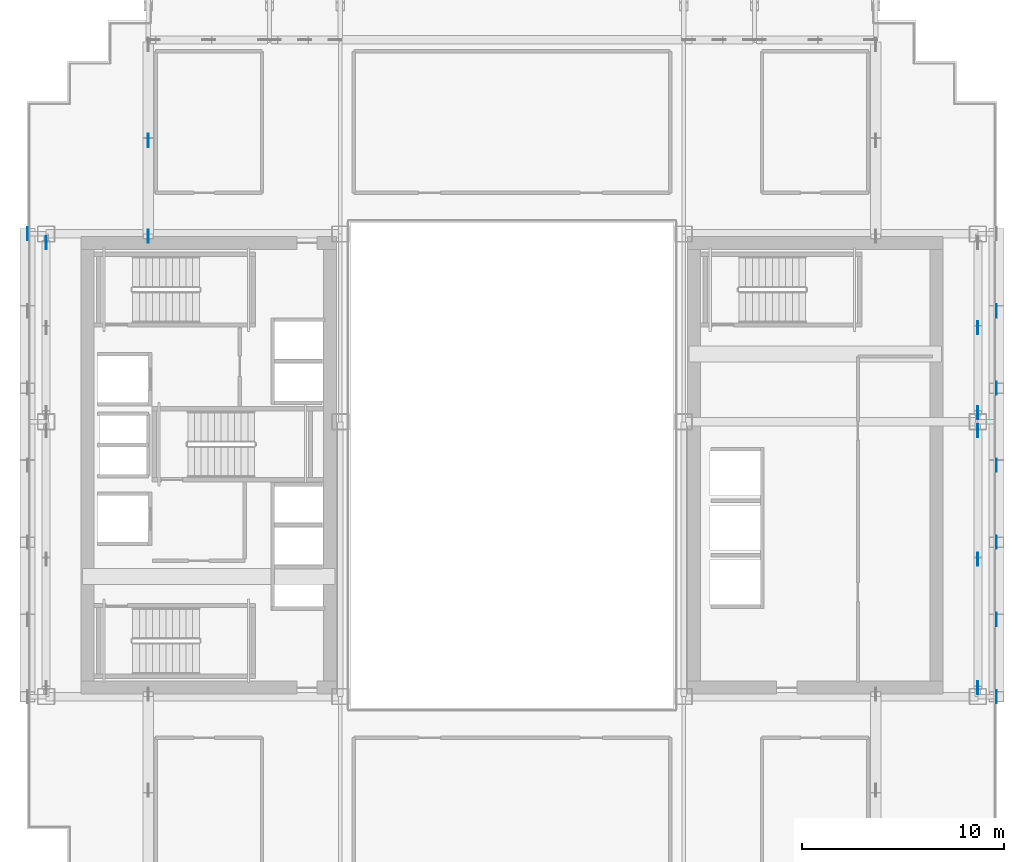
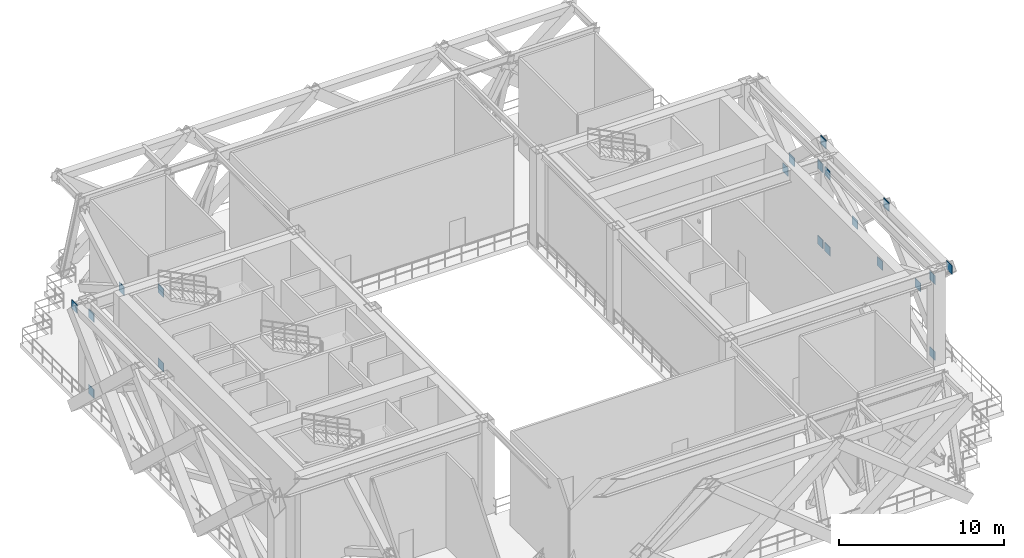
# One storey, part 5 of 14: 20 plates.
"""IFC4 building model written with IfcOpenShell, lengths in metres."""

from ifc_helpers import new_model, si_unit, direction, frame, origin, origin_2d, place, context, subcontext, project, spatial, rectangle, extrude, source, transform, mapped, material, layer, layer_set, type_object, element, save


model = new_model("IFC4")

# Units and contexts
model_context = context("Model", 3, precision=1e-05, world=origin(), true_north=direction((0.0, 1.0)))
body_context = subcontext(model_context, "Body", "Model", "MODEL_VIEW")
ifc_project = project(units=[si_unit("LENGTHUNIT", "METRE"), si_unit("AREAUNIT", "SQUARE_METRE"), si_unit("VOLUMEUNIT", "CUBIC_METRE"), si_unit("PLANEANGLEUNIT", "RADIAN"), si_unit("MASSUNIT", "GRAM", prefix="KILO")], contexts=[model_context])

# Site, building, storey
site_placement = place(None, origin())
site = spatial("IfcSite", under=ifc_project, at=site_placement, CompositionType="ELEMENT")
building_placement = place(site_placement, origin())
building = spatial("IfcBuilding", under=site, at=building_placement, Name="Ocotamira Hotel", CompositionType="ELEMENT")
storey_placement = place(building_placement, frame((0.0, 0.0, 151.199951171875)))
storey = spatial("IfcBuildingStorey", under=building, at=storey_placement, Name="L38", CompositionType="ELEMENT", Elevation=151.199951171875)

# Plates
ifc_material = material(Name="Pale-metal coated steel ASTM A572 Grade 50", Category="steel")
ifc_layer = layer(ifc_material, 0.0400390625)
ifc_layer_set = layer_set([ifc_layer], Name="Pale-metal coated steel ASTM A572 Grade 50")
plate_type = type_object("IfcPlateType", Name="PLT-GUSSET-40", PredefinedType="SHEET", material=ifc_layer_set)
shared_shape = source(origin(), body_context, "Body", "SweptSolid", [
    extrude(rectangle(XDim=0.0400390625, YDim=0.64990234375, at=origin_2d()), origin(), (0.0, 0.0, 1.0), 0.64990234375),
])
for number, where, z_axis, x_axis, name in (
    (1, (14.0, 37.324951171875, 0.025146484375), (0.0, 0.0, 1.0), (1.0, 0.0, 0.0), "L38 Outrigger Truss N X14 A End Gusset A"),
    (2, (14.0, 42.072509765625, 2.77001953125), (0.0, 0.0, 1.0), (1.0, 0.0, 0.0), "L38 Outrigger Truss N X14 B Crossing Gusset Plate"),
    (3, (14.0, 37.324951171875, 5.51513671875), (0.0, 0.0, 1.0), (1.0, 0.0, 0.0), "L38 Outrigger Truss N X14 B End Gusset A"),
    (4, (8.949951171875, 37.010009765625, 5.635009765625), (0.0, 0.0, 1.0), (1.0, 0.0, 0.0), "L38 Belt Truss Diagonal 8.95,28.15 A End Gusset B"),
    (5, (8.949951171875, 37.010009765625, 0.025146484375), (0.0, 0.0, 1.0), (1.0, 0.0, 0.0), "L38 Belt Truss Diagonal 8.95,28.15 B End Gusset B"),
    (6, (55.050048828125, 14.989990234375, 0.025146484375), (0.0, 0.0, 1.0), (1.0, 0.0, 0.0), "L38 Belt Truss Diagonal 55.05,14.55 A End Gusset A"),
    (7, (55.050048828125, 27.7099609375, 5.635009765625), (0.0, 0.0, 1.0), (1.0, 0.0, 0.0), "L38 Belt Truss Diagonal 55.05,14.55 A End Gusset B"),
    (8, (55.050048828125, 21.35009765625, 2.830078125), (0.0, 0.0, 1.0), (1.0, 0.0, 0.0), "L38 Belt Truss Diagonal 55.05,14.55 B Crossing Gusset Plate"),
    (9, (55.050048828125, 14.989990234375, 5.635009765625), (0.0, 0.0, 1.0), (1.0, 0.0, 0.0), "L38 Belt Truss Diagonal 55.05,14.55 B End Gusset A"),
    (10, (55.050048828125, 27.7099609375, 0.025146484375), (0.0, 0.0, 1.0), (1.0, 0.0, 0.0), "L38 Belt Truss Diagonal 55.05,14.55 B End Gusset B"),
    (11, (55.050048828125, 28.590087890625, 0.025146484375), (0.0, 0.0, 1.0), (1.0, 0.0, 0.0), "L38 Belt Truss Diagonal 55.05,28.15 A End Gusset A"),
    (12, (55.050048828125, 32.800048828125, 2.830078125), (0.0, 0.0, 1.0), (1.0, 0.0, 0.0), "L38 Belt Truss Diagonal 55.05,28.15 B Crossing Gusset Plate"),
    (13, (55.050048828125, 28.590087890625, 5.635009765625), (0.0, 0.0, 1.0), (1.0, 0.0, 0.0), "L38 Belt Truss Diagonal 55.05,28.15 B End Gusset A"),
    (14, (8.030029296875, 37.449951171875, 6.34521484375), (0.0, 0.0, 1.0), (1.0, 0.0, 0.0), "L38 Exoskeleton Diagrid W2.1 End Gusset B"),
    (15, (55.969970703125, 22.183349609375, 6.34521484375), (0.0, 0.0, 1.0), (1.0, 0.0, 0.0), "L38 Exoskeleton Diagrid E0.1 End Gusset B"),
    (16, (55.969970703125, 18.36669921875, 2.72509765625), (0.0, 0.0, 1.0), (1.0, 0.0, 0.0), "L38 Exoskeleton Diagrid E0.2 Crossing Gusset Plate"),
    (17, (55.969970703125, 14.550048828125, 6.34521484375), (0.0, 0.0, 1.0), (1.0, 0.0, 0.0), "L38 Exoskeleton Diagrid E0.2 End Gusset B"),
    (18, (55.969970703125, 29.816650390625, 6.34521484375), (0.0, 0.0, 1.0), (1.0, 0.0, 0.0), "L38 Exoskeleton Diagrid E1.1 End Gusset B"),
    (19, (55.969970703125, 26.0, 2.72509765625), (0.0, 0.0, 1.0), (1.0, 0.0, 0.0), "L38 Exoskeleton Diagrid E1.2 Crossing Gusset Plate"),
    (20, (55.969970703125, 33.63330078125, 2.72509765625), (0.0, 0.0, 1.0), (1.0, 0.0, 0.0), "L38 Exoskeleton Diagrid E2.2 Crossing Gusset Plate"),
):
    element("IfcPlate", number, at=place(storey_placement, frame(where, z_axis=z_axis, x_axis=x_axis)), inside=storey, type_object=plate_type, Name=name, PredefinedType="SHEET", context=body_context, shape_type="MappedRepresentation", body=[
        mapped(shared_shape, transform((0.0, 0.0, 0.0), scale=1.0)),
    ])

save(model, "model.ifc")
